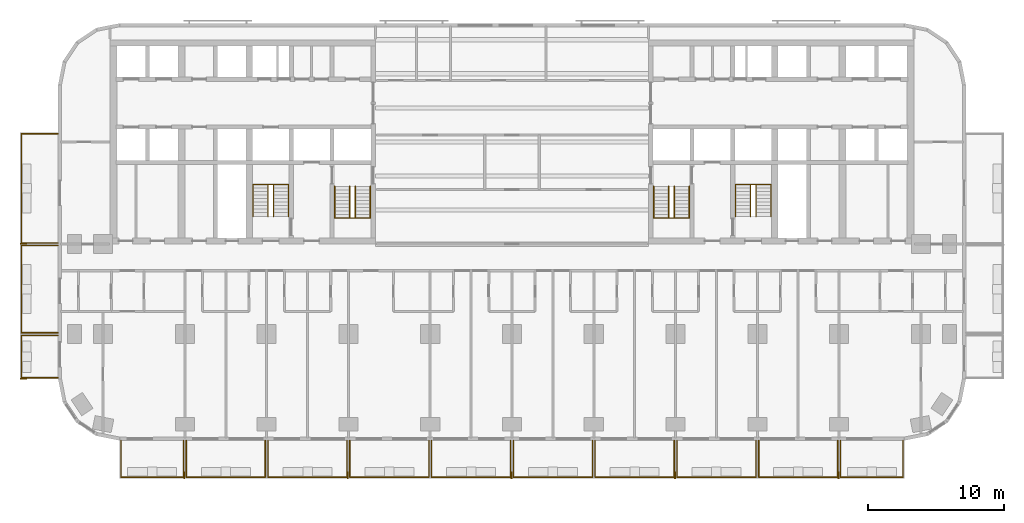
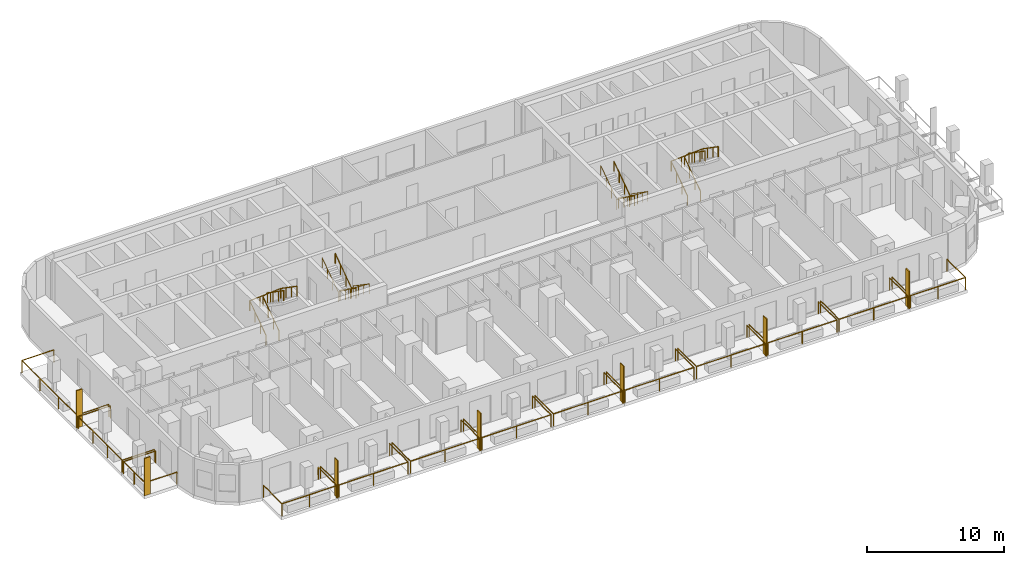
# One storey, part 13 of 15: 21 railings, 7 shading devices.
"""IFC4 building model written with IfcOpenShell, lengths in metres."""

from ifc_helpers import new_model, si_unit, direction, frame, origin, origin_2d, place, context, subcontext, project, spatial, rectangle, circle, extrude, material, layer, layer_set, type_object, element, save


model = new_model("IFC4")

# Units and contexts
model_context = context("Model", 3, precision=1e-05, world=origin(), true_north=direction((0.0, 1.0)))
body_context = subcontext(model_context, "Body", "Model", "MODEL_VIEW")
ifc_project = project(units=[si_unit("LENGTHUNIT", "METRE"), si_unit("AREAUNIT", "SQUARE_METRE"), si_unit("VOLUMEUNIT", "CUBIC_METRE"), si_unit("PLANEANGLEUNIT", "RADIAN"), si_unit("MASSUNIT", "GRAM", prefix="KILO")], contexts=[model_context])

# Site, building, storey
site_placement = place(None, origin())
site = spatial("IfcSite", under=ifc_project, at=site_placement, CompositionType="ELEMENT")
building_placement = place(site_placement, origin())
building = spatial("IfcBuilding", under=site, at=building_placement, Name="Torana Hotel and Residences", CompositionType="ELEMENT")
storey_placement = place(building_placement, frame((0.0, 0.0, 31.199951171875)))
storey = spatial("IfcBuildingStorey", under=building, at=storey_placement, Name="L06", CompositionType="ELEMENT", Elevation=31.199951171875)

# Shading devices
ifc_material_1 = material(Name="Black powder coated aluminium", Category="aluminium")
ifc_layer = layer(ifc_material_1, 0.080078125)
ifc_layer_set = layer_set([ifc_layer], Name="FN1 VERTICAL FIN 500x80")
shading_device_type = type_object("IfcShadingDeviceType", Name="FN1 VERTICAL FIN 500x80", PredefinedType="USERDEFINED", material=ifc_layer_set)
for number, where, z_axis, x_axis, name in (
    (1, (-24.0400390625, -31.949951171875, 0.0), (0.0, 0.0, 1.0), (-1.0, 0.0, 0.0), "Fin 01"),
    (2, (-12.0400390625, -31.949951171875, 0.0), (0.0, 0.0, 1.0), (-1.0, 0.0, 0.0), "Fin 03"),
    (3, (-0.0400390625, -31.949951171875, 0.0), (0.0, 0.0, 1.0), (-1.0, 0.0, 0.0), "Fin 05"),
    (4, (11.9599609375, -31.949951171875, 0.0), (0.0, 0.0, 1.0), (-1.0, 0.0, 0.0), "Fin 07"),
    (5, (23.9599609375, -31.949951171875, 0.0), (0.0, 0.0, 1.0), (-1.0, 0.0, 0.0), "Fin 09"),
    (6, (-35.85009765625, -24.860107421875, 0.0), (0.0, 0.0, 1.0), (0.0, 1.0, 0.0), "Fin 11"),
    (7, (-35.85009765625, -14.9599609375, 0.0), (0.0, 0.0, 1.0), (0.0, 1.0, 0.0), "Fin 13"),
):
    element("IfcShadingDevice", number, at=place(storey_placement, frame(where, z_axis=z_axis, x_axis=x_axis)), inside=storey, type_object=shading_device_type, Name=name, ObjectType="FIN", PredefinedType="USERDEFINED", context=body_context, shape_type="SweptSolid", body=[
        extrude(rectangle(XDim=0.080078125, YDim=0.5, at=origin_2d()), origin(), (0.0, 0.0, 1.0), 3.320068359375),
    ])

# Railings
ifc_material_2 = material(Name="Laminated glass balustrade with black handrail", Category="glass")
railing_type_1 = type_object("IfcRailingType", Name="GR1 BALCONY GUARD 1100 GLASS", PredefinedType="GUARDRAIL", material=ifc_material_2)
railing_1_placement = place(storey_placement, frame((-24.10009765625, -29.39990234375, 0.0)))
element("IfcRailing", 8, at=railing_1_placement, inside=storey, type_object=railing_type_1, Name="Balcony guard 01", PredefinedType="GUARDRAIL", context=body_context, shape_type="SweptSolid", body=[
    extrude(circle(Radius=0.02392578125, at=origin_2d()), frame((0.0, 0.0, 1.076171875), z_axis=(0.0, -1.0, 0.0), x_axis=(1.0, 0.0, 0.0)), (0.0, 0.0, 1.0), 2.7001953125),
    extrude(circle(Radius=0.02392578125, at=origin_2d()), frame((0.0, -2.7001953125, 1.076171875), z_axis=(-1.0, 0.0, 0.0), x_axis=(0.0, -1.0, 0.0)), (0.0, 0.0, 1.0), 4.599853515625),
    extrude(circle(Radius=0.02392578125, at=origin_2d()), frame((-4.599853515625, -2.7001953125, 1.076171875), z_axis=(0.0, 1.0, 0.0), x_axis=(-1.0, 0.0, 0.0)), (0.0, 0.0, 1.0), 2.7001953125),
    extrude(circle(Radius=0.02099609375, at=origin_2d()), origin(), (0.0, 0.0, 1.0), 1.052001953125),
    extrude(circle(Radius=0.02099609375, at=origin_2d()), frame((0.0, -2.7001953125, 0.0)), (0.0, 0.0, 1.0), 1.052001953125),
    extrude(circle(Radius=0.02099609375, at=origin_2d()), frame((-2.2998046875, -2.7001953125, 0.0)), (0.0, 0.0, 1.0), 1.052001953125),
    extrude(circle(Radius=0.02099609375, at=origin_2d()), frame((-4.599853515625, -2.7001953125, 0.0)), (0.0, 0.0, 1.0), 1.052001953125),
    extrude(circle(Radius=0.02099609375, at=origin_2d()), frame((-4.599853515625, 0.0, 0.0)), (0.0, 0.0, 1.0), 1.052001953125),
])
for number, where, name in (
    (9, (-18.10009765625, -29.39990234375, 0.0), "Balcony guard 02"),
    (10, (-12.10009765625, -29.39990234375, 0.0), "Balcony guard 03"),
    (11, (-6.10009765625, -29.39990234375, 0.0), "Balcony guard 04"),
    (12, (-0.10009765625, -29.39990234375, 0.0), "Balcony guard 05"),
    (13, (5.89990234375, -29.39990234375, 0.0), "Balcony guard 06"),
    (14, (11.89990234375, -29.39990234375, 0.0), "Balcony guard 07"),
    (15, (17.89990234375, -29.39990234375, 0.0), "Balcony guard 08"),
    (16, (23.89990234375, -29.39990234375, 0.0), "Balcony guard 09"),
):
    element("IfcRailing", number, at=place(storey_placement, frame(where)), inside=storey, type_object=railing_type_1, Name=name, PredefinedType="GUARDRAIL", context=body_context, shape_type="SweptSolid", body=[
        extrude(circle(Radius=0.02392578125, at=origin_2d()), frame((0.0, 0.0, 1.076171875), z_axis=(0.0, -1.0, 0.0), x_axis=(1.0, 0.0, 0.0)), (0.0, 0.0, 1.0), 2.7001953125),
        extrude(circle(Radius=0.02392578125, at=origin_2d()), frame((0.0, -2.7001953125, 1.076171875), z_axis=(-1.0, 0.0, 0.0), x_axis=(0.0, -1.0, 0.0)), (0.0, 0.0, 1.0), 5.7998046875),
        extrude(circle(Radius=0.02392578125, at=origin_2d()), frame((-5.7998046875, -2.7001953125, 1.076171875), z_axis=(0.0, 1.0, 0.0), x_axis=(-1.0, 0.0, 0.0)), (0.0, 0.0, 1.0), 2.7001953125),
        extrude(circle(Radius=0.02099609375, at=origin_2d()), origin(), (0.0, 0.0, 1.0), 1.052001953125),
        extrude(circle(Radius=0.02099609375, at=origin_2d()), frame((0.0, -2.7001953125, 0.0)), (0.0, 0.0, 1.0), 1.052001953125),
        extrude(circle(Radius=0.02099609375, at=origin_2d()), frame((-2.89990234375, -2.7001953125, 0.0)), (0.0, 0.0, 1.0), 1.052001953125),
        extrude(circle(Radius=0.02099609375, at=origin_2d()), frame((-5.7998046875, -2.7001953125, 0.0)), (0.0, 0.0, 1.0), 1.052001953125),
        extrude(circle(Radius=0.02099609375, at=origin_2d()), frame((-5.7998046875, 0.0, 0.0)), (0.0, 0.0, 1.0), 1.052001953125),
    ])
railing_2_placement = place(storey_placement, frame((28.699951171875, -29.39990234375, 0.0)))
element("IfcRailing", 17, at=railing_2_placement, inside=storey, type_object=railing_type_1, Name="Balcony guard 10", PredefinedType="GUARDRAIL", context=body_context, shape_type="SweptSolid", body=[
    extrude(circle(Radius=0.02392578125, at=origin_2d()), frame((0.0, 0.0, 1.076171875), z_axis=(0.0, -1.0, 0.0), x_axis=(1.0, 0.0, 0.0)), (0.0, 0.0, 1.0), 2.7001953125),
    extrude(circle(Radius=0.02392578125, at=origin_2d()), frame((0.0, -2.7001953125, 1.076171875), z_axis=(-1.0, 0.0, 0.0), x_axis=(0.0, -1.0, 0.0)), (0.0, 0.0, 1.0), 4.599853515625),
    extrude(circle(Radius=0.02392578125, at=origin_2d()), frame((-4.599853515625, -2.7001953125, 1.076171875), z_axis=(0.0, 1.0, 0.0), x_axis=(-1.0, 0.0, 0.0)), (0.0, 0.0, 1.0), 2.7001953125),
    extrude(circle(Radius=0.02099609375, at=origin_2d()), origin(), (0.0, 0.0, 1.0), 1.052001953125),
    extrude(circle(Radius=0.02099609375, at=origin_2d()), frame((0.0, -2.7001953125, 0.0)), (0.0, 0.0, 1.0), 1.052001953125),
    extrude(circle(Radius=0.02099609375, at=origin_2d()), frame((-2.2998046875, -2.7001953125, 0.0)), (0.0, 0.0, 1.0), 1.052001953125),
    extrude(circle(Radius=0.02099609375, at=origin_2d()), frame((-4.599853515625, -2.7001953125, 0.0)), (0.0, 0.0, 1.0), 1.052001953125),
    extrude(circle(Radius=0.02099609375, at=origin_2d()), frame((-4.599853515625, 0.0, 0.0)), (0.0, 0.0, 1.0), 1.052001953125),
])
railing_3_placement = place(storey_placement, frame((-33.300048828125, -24.800048828125, 0.0)))
element("IfcRailing", 18, at=railing_3_placement, inside=storey, type_object=railing_type_1, Name="Balcony guard 11", PredefinedType="GUARDRAIL", context=body_context, shape_type="SweptSolid", body=[
    extrude(circle(Radius=0.02392578125, at=origin_2d()), frame((0.0, 0.0, 1.076171875), z_axis=(-1.0, 0.0, 0.0), x_axis=(0.0, -1.0, 0.0)), (0.0, 0.0, 1.0), 2.699951171875),
    extrude(circle(Radius=0.02392578125, at=origin_2d()), frame((-2.699951171875, 0.0, 1.076171875), z_axis=(0.0, 1.0, 0.0), x_axis=(-1.0, 0.0, 0.0)), (0.0, 0.0, 1.0), 3.10009765625),
    extrude(circle(Radius=0.02392578125, at=origin_2d()), frame((-2.699951171875, 3.10009765625, 1.076171875), z_axis=(1.0, 0.0, 0.0), x_axis=(0.0, 1.0, 0.0)), (0.0, 0.0, 1.0), 2.699951171875),
    extrude(circle(Radius=0.02099609375, at=origin_2d()), origin(), (0.0, 0.0, 1.0), 1.052001953125),
    extrude(circle(Radius=0.02099609375, at=origin_2d()), frame((-2.699951171875, 0.0, 0.0)), (0.0, 0.0, 1.0), 1.052001953125),
    extrude(circle(Radius=0.02099609375, at=origin_2d()), frame((-2.699951171875, 1.550048828125, 0.0)), (0.0, 0.0, 1.0), 1.052001953125),
    extrude(circle(Radius=0.02099609375, at=origin_2d()), frame((-2.699951171875, 3.10009765625, 0.0)), (0.0, 0.0, 1.0), 1.052001953125),
    extrude(circle(Radius=0.02099609375, at=origin_2d()), frame((0.0, 3.10009765625, 0.0)), (0.0, 0.0, 1.0), 1.052001953125),
])
railing_4_placement = place(storey_placement, frame((-33.300048828125, -21.5, 0.0)))
element("IfcRailing", 19, at=railing_4_placement, inside=storey, type_object=railing_type_1, Name="Balcony guard 12", PredefinedType="GUARDRAIL", context=body_context, shape_type="SweptSolid", body=[
    extrude(circle(Radius=0.02392578125, at=origin_2d()), frame((0.0, 0.0, 1.076171875), z_axis=(-1.0, 0.0, 0.0), x_axis=(0.0, -1.0, 0.0)), (0.0, 0.0, 1.0), 2.699951171875),
    extrude(circle(Radius=0.02392578125, at=origin_2d()), frame((-2.699951171875, 0.0, 1.076171875), z_axis=(0.0, 1.0, 0.0), x_axis=(-1.0, 0.0, 0.0)), (0.0, 0.0, 1.0), 6.39990234375),
    extrude(circle(Radius=0.02392578125, at=origin_2d()), frame((-2.699951171875, 6.39990234375, 1.076171875), z_axis=(1.0, 0.0, 0.0), x_axis=(0.0, 1.0, 0.0)), (0.0, 0.0, 1.0), 2.699951171875),
    extrude(circle(Radius=0.02099609375, at=origin_2d()), origin(), (0.0, 0.0, 1.0), 1.052001953125),
    extrude(circle(Radius=0.02099609375, at=origin_2d()), frame((-2.699951171875, 0.0, 0.0)), (0.0, 0.0, 1.0), 1.052001953125),
    extrude(circle(Radius=0.02099609375, at=origin_2d()), frame((-2.699951171875, 2.13330078125, 0.0)), (0.0, 0.0, 1.0), 1.052001953125),
    extrude(circle(Radius=0.02099609375, at=origin_2d()), frame((-2.699951171875, 4.2666015625, 0.0)), (0.0, 0.0, 1.0), 1.052001953125),
    extrude(circle(Radius=0.02099609375, at=origin_2d()), frame((-2.699951171875, 6.39990234375, 0.0)), (0.0, 0.0, 1.0), 1.052001953125),
    extrude(circle(Radius=0.02099609375, at=origin_2d()), frame((0.0, 6.39990234375, 0.0)), (0.0, 0.0, 1.0), 1.052001953125),
])
railing_5_placement = place(storey_placement, frame((-33.300048828125, -14.89990234375, 0.0)))
element("IfcRailing", 20, at=railing_5_placement, inside=storey, type_object=railing_type_1, Name="Balcony guard 13", PredefinedType="GUARDRAIL", context=body_context, shape_type="SweptSolid", body=[
    extrude(circle(Radius=0.02392578125, at=origin_2d()), frame((0.0, 0.0, 1.076171875), z_axis=(-1.0, 0.0, 0.0), x_axis=(0.0, -1.0, 0.0)), (0.0, 0.0, 1.0), 2.699951171875),
    extrude(circle(Radius=0.02392578125, at=origin_2d()), frame((-2.699951171875, 0.0, 1.076171875), z_axis=(0.0, 1.0, 0.0), x_axis=(-1.0, 0.0, 0.0)), (0.0, 0.0, 1.0), 8.0),
    extrude(circle(Radius=0.02392578125, at=origin_2d()), frame((-2.699951171875, 8.0, 1.076171875), z_axis=(1.0, 0.0, 0.0), x_axis=(0.0, 1.0, 0.0)), (0.0, 0.0, 1.0), 2.699951171875),
    extrude(circle(Radius=0.02099609375, at=origin_2d()), origin(), (0.0, 0.0, 1.0), 1.052001953125),
    extrude(circle(Radius=0.02099609375, at=origin_2d()), frame((-2.699951171875, 0.0, 0.0)), (0.0, 0.0, 1.0), 1.052001953125),
    extrude(circle(Radius=0.02099609375, at=origin_2d()), frame((-2.699951171875, 2.666748046875, 0.0)), (0.0, 0.0, 1.0), 1.052001953125),
    extrude(circle(Radius=0.02099609375, at=origin_2d()), frame((-2.699951171875, 5.333251953125, 0.0)), (0.0, 0.0, 1.0), 1.052001953125),
    extrude(circle(Radius=0.02099609375, at=origin_2d()), frame((-2.699951171875, 8.0, 0.0)), (0.0, 0.0, 1.0), 1.052001953125),
    extrude(circle(Radius=0.02099609375, at=origin_2d()), frame((0.0, 8.0, 0.0)), (0.0, 0.0, 1.0), 1.052001953125),
])
ifc_material_3 = material(Name="Stainless steel 316", Category="steel")
railing_type_2 = type_object("IfcRailingType", Name="STAIR HANDRAIL HR1 900", PredefinedType="HANDRAIL", material=ifc_material_3)
railing_6_placement = place(storey_placement, frame((-10.39990234375, -10.75, 0.179931640625)))
element("IfcRailing", 21, at=railing_6_placement, inside=storey, type_object=railing_type_2, Name="Handrail ST1 L06 O1", PredefinedType="HANDRAIL", context=body_context, shape_type="SweptSolid", body=[
    extrude(circle(Radius=0.02392578125, at=origin_2d()), frame((0.0, 0.0, 0.8759765625), z_axis=(0.0, -0.822182927502, 0.569223360136), x_axis=(1.0, 0.0, 0.0)), (0.0, 0.0, 1.0), 2.84619140625),
    extrude(circle(Radius=0.02392578125, at=origin_2d()), frame((0.0, -2.340087890625, 2.49609375), z_axis=(-0.997614115953, 0.0, 0.069036770278), x_axis=(0.0, -1.0, 0.0)), (0.0, 0.0, 1.0), 2.606201171875),
    extrude(circle(Radius=0.02392578125, at=origin_2d()), frame((-2.60009765625, -2.340087890625, 2.67578125), z_axis=(0.0, 0.822182927502, 0.569223360136), x_axis=(-1.0, 0.0, 0.0)), (0.0, 0.0, 1.0), 2.84619140625),
    extrude(circle(Radius=0.02099609375, at=origin_2d()), origin(), (0.0, 0.0, 1.0), 0.851806640625),
    extrude(circle(Radius=0.02099609375, at=origin_2d()), frame((0.0, -0.780029296875, 0.5400390625)), (0.0, 0.0, 1.0), 0.851806640625),
    extrude(circle(Radius=0.02099609375, at=origin_2d()), frame((0.0, -1.56005859375, 1.080078125)), (0.0, 0.0, 1.0), 0.851806640625),
    extrude(circle(Radius=0.02099609375, at=origin_2d()), frame((0.0, -2.340087890625, 1.6201171875)), (0.0, 0.0, 1.0), 0.851806640625),
    extrude(circle(Radius=0.02099609375, at=origin_2d()), frame((-0.86669921875, -2.340087890625, 1.68017578125)), (0.0, 0.0, 1.0), 0.851806640625),
    extrude(circle(Radius=0.02099609375, at=origin_2d()), frame((-1.7333984375, -2.340087890625, 1.739990234375)), (0.0, 0.0, 1.0), 0.851806640625),
    extrude(circle(Radius=0.02099609375, at=origin_2d()), frame((-2.60009765625, -2.340087890625, 1.800048828125)), (0.0, 0.0, 1.0), 0.851806640625),
    extrude(circle(Radius=0.02099609375, at=origin_2d()), frame((-2.60009765625, -1.56005859375, 2.340087890625)), (0.0, 0.0, 1.0), 0.851806640625),
    extrude(circle(Radius=0.02099609375, at=origin_2d()), frame((-2.60009765625, -0.780029296875, 2.880126953125)), (0.0, 0.0, 1.0), 0.851806640625),
    extrude(circle(Radius=0.02099609375, at=origin_2d()), frame((-2.60009765625, 0.0, 3.420166015625)), (0.0, 0.0, 1.0), 0.851806640625),
])
railing_7_placement = place(storey_placement, frame((-11.5, -10.75, 0.179931640625)))
element("IfcRailing", 22, at=railing_7_placement, inside=storey, type_object=railing_type_2, Name="Handrail ST1 L06 I1", PredefinedType="HANDRAIL", context=body_context, shape_type="SweptSolid", body=[
    extrude(circle(Radius=0.02392578125, at=origin_2d()), frame((0.0, 0.0, 0.8759765625), z_axis=(0.0, -0.822182927502, 0.569223360136), x_axis=(1.0, 0.0, 0.0)), (0.0, 0.0, 1.0), 2.84619140625),
    extrude(circle(Radius=0.02392578125, at=origin_2d()), frame((0.0, -2.340087890625, 2.49609375), z_axis=(-0.911942338396, 0.0, 0.410318378143), x_axis=(0.0, -1.0, 0.0)), (0.0, 0.0, 1.0), 0.4384765625),
    extrude(circle(Radius=0.02392578125, at=origin_2d()), frame((-0.39990234375, -2.340087890625, 2.67578125), z_axis=(0.0, 0.822182927502, 0.569223360136), x_axis=(-1.0, 0.0, 0.0)), (0.0, 0.0, 1.0), 2.84619140625),
    extrude(circle(Radius=0.02099609375, at=origin_2d()), origin(), (0.0, 0.0, 1.0), 0.851806640625),
    extrude(circle(Radius=0.02099609375, at=origin_2d()), frame((0.0, -0.780029296875, 0.5400390625)), (0.0, 0.0, 1.0), 0.851806640625),
    extrude(circle(Radius=0.02099609375, at=origin_2d()), frame((0.0, -1.56005859375, 1.080078125)), (0.0, 0.0, 1.0), 0.851806640625),
    extrude(circle(Radius=0.02099609375, at=origin_2d()), frame((0.0, -2.340087890625, 1.6201171875)), (0.0, 0.0, 1.0), 0.851806640625),
    extrude(circle(Radius=0.02099609375, at=origin_2d()), frame((-0.39990234375, -2.340087890625, 1.800048828125)), (0.0, 0.0, 1.0), 0.851806640625),
    extrude(circle(Radius=0.02099609375, at=origin_2d()), frame((-0.39990234375, -1.56005859375, 2.340087890625)), (0.0, 0.0, 1.0), 0.851806640625),
    extrude(circle(Radius=0.02099609375, at=origin_2d()), frame((-0.39990234375, -0.780029296875, 2.880126953125)), (0.0, 0.0, 1.0), 0.851806640625),
    extrude(circle(Radius=0.02099609375, at=origin_2d()), frame((-0.39990234375, 0.0, 3.420166015625)), (0.0, 0.0, 1.0), 0.851806640625),
])
railing_8_placement = place(storey_placement, frame((-19.0, -12.949951171875, 0.179931640625)))
element("IfcRailing", 23, at=railing_8_placement, inside=storey, type_object=railing_type_2, Name="Handrail ST2 L06 O1", PredefinedType="HANDRAIL", context=body_context, shape_type="SweptSolid", body=[
    extrude(circle(Radius=0.02392578125, at=origin_2d()), frame((0.0, 0.0, 0.8759765625), z_axis=(0.0, 0.822155131156, 0.569263506923), x_axis=(-1.0, 0.0, 0.0)), (0.0, 0.0, 1.0), 2.845947265625),
    extrude(circle(Radius=0.02392578125, at=origin_2d()), frame((0.0, 2.33984375, 2.49609375), z_axis=(0.997614115953, 0.0, 0.069036770278), x_axis=(0.0, 1.0, 0.0)), (0.0, 0.0, 1.0), 2.606201171875),
    extrude(circle(Radius=0.02392578125, at=origin_2d()), frame((2.60009765625, 2.33984375, 2.67578125), z_axis=(0.0, -0.822155131156, 0.569263506923), x_axis=(1.0, 0.0, 0.0)), (0.0, 0.0, 1.0), 2.845947265625),
    extrude(circle(Radius=0.02099609375, at=origin_2d()), origin(), (0.0, 0.0, 1.0), 0.851806640625),
    extrude(circle(Radius=0.02099609375, at=origin_2d()), frame((0.0, 0.780029296875, 0.5400390625)), (0.0, 0.0, 1.0), 0.851806640625),
    extrude(circle(Radius=0.02099609375, at=origin_2d()), frame((0.0, 1.559814453125, 1.080078125)), (0.0, 0.0, 1.0), 0.851806640625),
    extrude(circle(Radius=0.02099609375, at=origin_2d()), frame((0.0, 2.33984375, 1.6201171875)), (0.0, 0.0, 1.0), 0.851806640625),
    extrude(circle(Radius=0.02099609375, at=origin_2d()), frame((0.86669921875, 2.33984375, 1.68017578125)), (0.0, 0.0, 1.0), 0.851806640625),
    extrude(circle(Radius=0.02099609375, at=origin_2d()), frame((1.7333984375, 2.33984375, 1.739990234375)), (0.0, 0.0, 1.0), 0.851806640625),
    extrude(circle(Radius=0.02099609375, at=origin_2d()), frame((2.60009765625, 2.33984375, 1.800048828125)), (0.0, 0.0, 1.0), 0.851806640625),
    extrude(circle(Radius=0.02099609375, at=origin_2d()), frame((2.60009765625, 1.559814453125, 2.340087890625)), (0.0, 0.0, 1.0), 0.851806640625),
    extrude(circle(Radius=0.02099609375, at=origin_2d()), frame((2.60009765625, 0.780029296875, 2.880126953125)), (0.0, 0.0, 1.0), 0.851806640625),
    extrude(circle(Radius=0.02099609375, at=origin_2d()), frame((2.60009765625, 0.0, 3.420166015625)), (0.0, 0.0, 1.0), 0.851806640625),
])
railing_9_placement = place(storey_placement, frame((-17.89990234375, -12.949951171875, 0.179931640625)))
element("IfcRailing", 24, at=railing_9_placement, inside=storey, type_object=railing_type_2, Name="Handrail ST2 L06 I1", PredefinedType="HANDRAIL", context=body_context, shape_type="SweptSolid", body=[
    extrude(circle(Radius=0.02392578125, at=origin_2d()), frame((0.0, 0.0, 0.8759765625), z_axis=(0.0, 0.822155131156, 0.569263506923), x_axis=(-1.0, 0.0, 0.0)), (0.0, 0.0, 1.0), 2.845947265625),
    extrude(circle(Radius=0.02392578125, at=origin_2d()), frame((0.0, 2.33984375, 2.49609375), z_axis=(0.911942338396, 0.0, 0.410318378143), x_axis=(0.0, 1.0, 0.0)), (0.0, 0.0, 1.0), 0.4384765625),
    extrude(circle(Radius=0.02392578125, at=origin_2d()), frame((0.39990234375, 2.33984375, 2.67578125), z_axis=(0.0, -0.822155131156, 0.569263506923), x_axis=(1.0, 0.0, 0.0)), (0.0, 0.0, 1.0), 2.845947265625),
    extrude(circle(Radius=0.02099609375, at=origin_2d()), origin(), (0.0, 0.0, 1.0), 0.851806640625),
    extrude(circle(Radius=0.02099609375, at=origin_2d()), frame((0.0, 0.780029296875, 0.5400390625)), (0.0, 0.0, 1.0), 0.851806640625),
    extrude(circle(Radius=0.02099609375, at=origin_2d()), frame((0.0, 1.559814453125, 1.080078125)), (0.0, 0.0, 1.0), 0.851806640625),
    extrude(circle(Radius=0.02099609375, at=origin_2d()), frame((0.0, 2.33984375, 1.6201171875)), (0.0, 0.0, 1.0), 0.851806640625),
    extrude(circle(Radius=0.02099609375, at=origin_2d()), frame((0.39990234375, 2.33984375, 1.800048828125)), (0.0, 0.0, 1.0), 0.851806640625),
    extrude(circle(Radius=0.02099609375, at=origin_2d()), frame((0.39990234375, 1.559814453125, 2.340087890625)), (0.0, 0.0, 1.0), 0.851806640625),
    extrude(circle(Radius=0.02099609375, at=origin_2d()), frame((0.39990234375, 0.780029296875, 2.880126953125)), (0.0, 0.0, 1.0), 0.851806640625),
    extrude(circle(Radius=0.02099609375, at=origin_2d()), frame((0.39990234375, 0.0, 3.420166015625)), (0.0, 0.0, 1.0), 0.851806640625),
])
railing_10_placement = place(storey_placement, frame((13.0, -10.75, 0.179931640625)))
element("IfcRailing", 25, at=railing_10_placement, inside=storey, type_object=railing_type_2, Name="Handrail ST3 L06 O1", PredefinedType="HANDRAIL", context=body_context, shape_type="SweptSolid", body=[
    extrude(circle(Radius=0.02392578125, at=origin_2d()), frame((0.0, 0.0, 0.8759765625), z_axis=(0.0, -0.822182927502, 0.569223360136), x_axis=(1.0, 0.0, 0.0)), (0.0, 0.0, 1.0), 2.84619140625),
    extrude(circle(Radius=0.02392578125, at=origin_2d()), frame((0.0, -2.340087890625, 2.49609375), z_axis=(-0.997614115953, 0.0, 0.069036770278), x_axis=(0.0, -1.0, 0.0)), (0.0, 0.0, 1.0), 2.606201171875),
    extrude(circle(Radius=0.02392578125, at=origin_2d()), frame((-2.60009765625, -2.340087890625, 2.67578125), z_axis=(0.0, 0.822182927502, 0.569223360136), x_axis=(-1.0, 0.0, 0.0)), (0.0, 0.0, 1.0), 2.84619140625),
    extrude(circle(Radius=0.02099609375, at=origin_2d()), origin(), (0.0, 0.0, 1.0), 0.851806640625),
    extrude(circle(Radius=0.02099609375, at=origin_2d()), frame((0.0, -0.780029296875, 0.5400390625)), (0.0, 0.0, 1.0), 0.851806640625),
    extrude(circle(Radius=0.02099609375, at=origin_2d()), frame((0.0, -1.56005859375, 1.080078125)), (0.0, 0.0, 1.0), 0.851806640625),
    extrude(circle(Radius=0.02099609375, at=origin_2d()), frame((0.0, -2.340087890625, 1.6201171875)), (0.0, 0.0, 1.0), 0.851806640625),
    extrude(circle(Radius=0.02099609375, at=origin_2d()), frame((-0.86669921875, -2.340087890625, 1.68017578125)), (0.0, 0.0, 1.0), 0.851806640625),
    extrude(circle(Radius=0.02099609375, at=origin_2d()), frame((-1.7333984375, -2.340087890625, 1.739990234375)), (0.0, 0.0, 1.0), 0.851806640625),
    extrude(circle(Radius=0.02099609375, at=origin_2d()), frame((-2.60009765625, -2.340087890625, 1.800048828125)), (0.0, 0.0, 1.0), 0.851806640625),
    extrude(circle(Radius=0.02099609375, at=origin_2d()), frame((-2.60009765625, -1.56005859375, 2.340087890625)), (0.0, 0.0, 1.0), 0.851806640625),
    extrude(circle(Radius=0.02099609375, at=origin_2d()), frame((-2.60009765625, -0.780029296875, 2.880126953125)), (0.0, 0.0, 1.0), 0.851806640625),
    extrude(circle(Radius=0.02099609375, at=origin_2d()), frame((-2.60009765625, 0.0, 3.420166015625)), (0.0, 0.0, 1.0), 0.851806640625),
])
railing_11_placement = place(storey_placement, frame((11.89990234375, -10.75, 0.179931640625)))
element("IfcRailing", 26, at=railing_11_placement, inside=storey, type_object=railing_type_2, Name="Handrail ST3 L06 I1", PredefinedType="HANDRAIL", context=body_context, shape_type="SweptSolid", body=[
    extrude(circle(Radius=0.02392578125, at=origin_2d()), frame((0.0, 0.0, 0.8759765625), z_axis=(0.0, -0.822182927502, 0.569223360136), x_axis=(1.0, 0.0, 0.0)), (0.0, 0.0, 1.0), 2.84619140625),
    extrude(circle(Radius=0.02392578125, at=origin_2d()), frame((0.0, -2.340087890625, 2.49609375), z_axis=(-0.911942338396, 0.0, 0.410318378143), x_axis=(0.0, -1.0, 0.0)), (0.0, 0.0, 1.0), 0.4384765625),
    extrude(circle(Radius=0.02392578125, at=origin_2d()), frame((-0.39990234375, -2.340087890625, 2.67578125), z_axis=(0.0, 0.822182927502, 0.569223360136), x_axis=(-1.0, 0.0, 0.0)), (0.0, 0.0, 1.0), 2.84619140625),
    extrude(circle(Radius=0.02099609375, at=origin_2d()), origin(), (0.0, 0.0, 1.0), 0.851806640625),
    extrude(circle(Radius=0.02099609375, at=origin_2d()), frame((0.0, -0.780029296875, 0.5400390625)), (0.0, 0.0, 1.0), 0.851806640625),
    extrude(circle(Radius=0.02099609375, at=origin_2d()), frame((0.0, -1.56005859375, 1.080078125)), (0.0, 0.0, 1.0), 0.851806640625),
    extrude(circle(Radius=0.02099609375, at=origin_2d()), frame((0.0, -2.340087890625, 1.6201171875)), (0.0, 0.0, 1.0), 0.851806640625),
    extrude(circle(Radius=0.02099609375, at=origin_2d()), frame((-0.39990234375, -2.340087890625, 1.800048828125)), (0.0, 0.0, 1.0), 0.851806640625),
    extrude(circle(Radius=0.02099609375, at=origin_2d()), frame((-0.39990234375, -1.56005859375, 2.340087890625)), (0.0, 0.0, 1.0), 0.851806640625),
    extrude(circle(Radius=0.02099609375, at=origin_2d()), frame((-0.39990234375, -0.780029296875, 2.880126953125)), (0.0, 0.0, 1.0), 0.851806640625),
    extrude(circle(Radius=0.02099609375, at=origin_2d()), frame((-0.39990234375, 0.0, 3.420166015625)), (0.0, 0.0, 1.0), 0.851806640625),
])
railing_12_placement = place(storey_placement, frame((16.39990234375, -12.949951171875, 0.179931640625)))
element("IfcRailing", 27, at=railing_12_placement, inside=storey, type_object=railing_type_2, Name="Handrail ST4 L06 O1", PredefinedType="HANDRAIL", context=body_context, shape_type="SweptSolid", body=[
    extrude(circle(Radius=0.02392578125, at=origin_2d()), frame((0.0, 0.0, 0.8759765625), z_axis=(0.0, 0.822155131156, 0.569263506923), x_axis=(-1.0, 0.0, 0.0)), (0.0, 0.0, 1.0), 2.845947265625),
    extrude(circle(Radius=0.02392578125, at=origin_2d()), frame((0.0, 2.33984375, 2.49609375), z_axis=(0.997614115953, 0.0, 0.069036770278), x_axis=(0.0, 1.0, 0.0)), (0.0, 0.0, 1.0), 2.606201171875),
    extrude(circle(Radius=0.02392578125, at=origin_2d()), frame((2.60009765625, 2.33984375, 2.67578125), z_axis=(0.0, -0.822155131156, 0.569263506923), x_axis=(1.0, 0.0, 0.0)), (0.0, 0.0, 1.0), 2.845947265625),
    extrude(circle(Radius=0.02099609375, at=origin_2d()), origin(), (0.0, 0.0, 1.0), 0.851806640625),
    extrude(circle(Radius=0.02099609375, at=origin_2d()), frame((0.0, 0.780029296875, 0.5400390625)), (0.0, 0.0, 1.0), 0.851806640625),
    extrude(circle(Radius=0.02099609375, at=origin_2d()), frame((0.0, 1.559814453125, 1.080078125)), (0.0, 0.0, 1.0), 0.851806640625),
    extrude(circle(Radius=0.02099609375, at=origin_2d()), frame((0.0, 2.33984375, 1.6201171875)), (0.0, 0.0, 1.0), 0.851806640625),
    extrude(circle(Radius=0.02099609375, at=origin_2d()), frame((0.86669921875, 2.33984375, 1.68017578125)), (0.0, 0.0, 1.0), 0.851806640625),
    extrude(circle(Radius=0.02099609375, at=origin_2d()), frame((1.7333984375, 2.33984375, 1.739990234375)), (0.0, 0.0, 1.0), 0.851806640625),
    extrude(circle(Radius=0.02099609375, at=origin_2d()), frame((2.60009765625, 2.33984375, 1.800048828125)), (0.0, 0.0, 1.0), 0.851806640625),
    extrude(circle(Radius=0.02099609375, at=origin_2d()), frame((2.60009765625, 1.559814453125, 2.340087890625)), (0.0, 0.0, 1.0), 0.851806640625),
    extrude(circle(Radius=0.02099609375, at=origin_2d()), frame((2.60009765625, 0.780029296875, 2.880126953125)), (0.0, 0.0, 1.0), 0.851806640625),
    extrude(circle(Radius=0.02099609375, at=origin_2d()), frame((2.60009765625, 0.0, 3.420166015625)), (0.0, 0.0, 1.0), 0.851806640625),
])
railing_13_placement = place(storey_placement, frame((17.5, -12.949951171875, 0.179931640625)))
element("IfcRailing", 28, at=railing_13_placement, inside=storey, type_object=railing_type_2, Name="Handrail ST4 L06 I1", PredefinedType="HANDRAIL", context=body_context, shape_type="SweptSolid", body=[
    extrude(circle(Radius=0.02392578125, at=origin_2d()), frame((0.0, 0.0, 0.8759765625), z_axis=(0.0, 0.822155131156, 0.569263506923), x_axis=(-1.0, 0.0, 0.0)), (0.0, 0.0, 1.0), 2.845947265625),
    extrude(circle(Radius=0.02392578125, at=origin_2d()), frame((0.0, 2.33984375, 2.49609375), z_axis=(0.911942338396, 0.0, 0.410318378143), x_axis=(0.0, 1.0, 0.0)), (0.0, 0.0, 1.0), 0.4384765625),
    extrude(circle(Radius=0.02392578125, at=origin_2d()), frame((0.39990234375, 2.33984375, 2.67578125), z_axis=(0.0, -0.822155131156, 0.569263506923), x_axis=(1.0, 0.0, 0.0)), (0.0, 0.0, 1.0), 2.845947265625),
    extrude(circle(Radius=0.02099609375, at=origin_2d()), origin(), (0.0, 0.0, 1.0), 0.851806640625),
    extrude(circle(Radius=0.02099609375, at=origin_2d()), frame((0.0, 0.780029296875, 0.5400390625)), (0.0, 0.0, 1.0), 0.851806640625),
    extrude(circle(Radius=0.02099609375, at=origin_2d()), frame((0.0, 1.559814453125, 1.080078125)), (0.0, 0.0, 1.0), 0.851806640625),
    extrude(circle(Radius=0.02099609375, at=origin_2d()), frame((0.0, 2.33984375, 1.6201171875)), (0.0, 0.0, 1.0), 0.851806640625),
    extrude(circle(Radius=0.02099609375, at=origin_2d()), frame((0.39990234375, 2.33984375, 1.800048828125)), (0.0, 0.0, 1.0), 0.851806640625),
    extrude(circle(Radius=0.02099609375, at=origin_2d()), frame((0.39990234375, 1.559814453125, 2.340087890625)), (0.0, 0.0, 1.0), 0.851806640625),
    extrude(circle(Radius=0.02099609375, at=origin_2d()), frame((0.39990234375, 0.780029296875, 2.880126953125)), (0.0, 0.0, 1.0), 0.851806640625),
    extrude(circle(Radius=0.02099609375, at=origin_2d()), frame((0.39990234375, 0.0, 3.420166015625)), (0.0, 0.0, 1.0), 0.851806640625),
])

save(model, "model.ifc")
